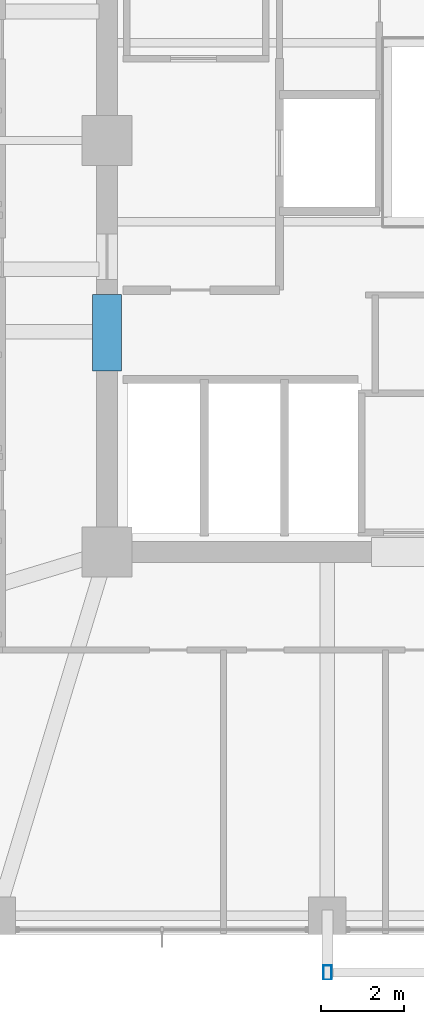
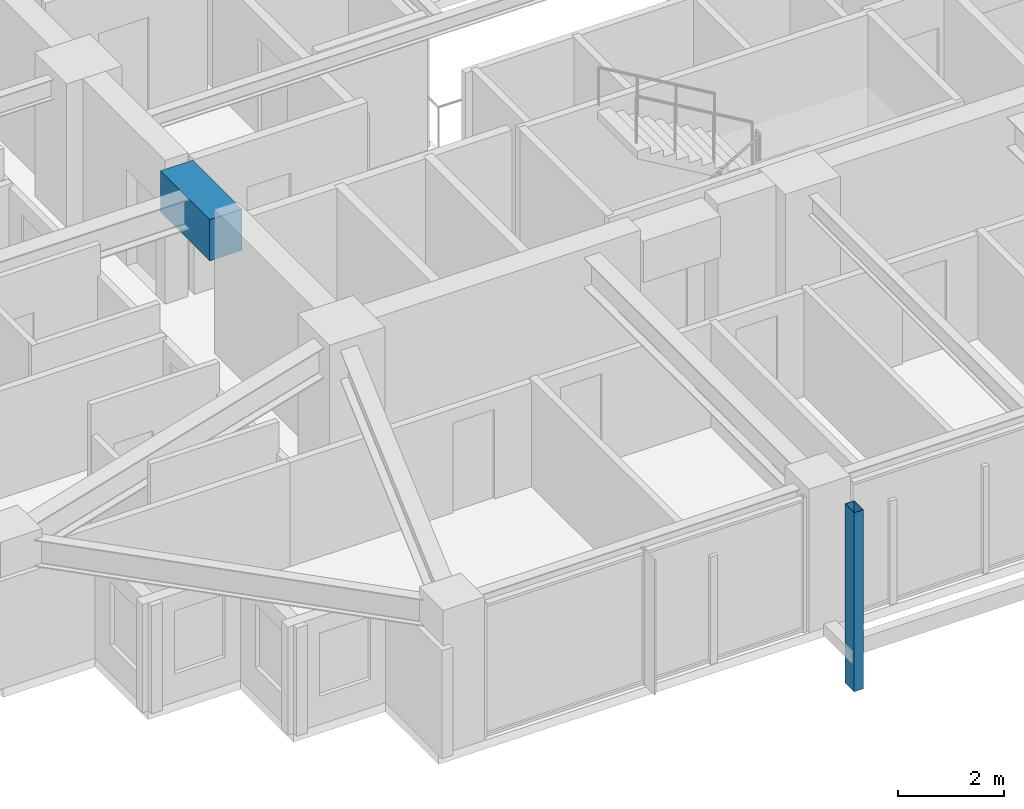
# One storey, part 5 of 37: 1 beam, 1 member.
"""IFC4 building model written with IfcOpenShell, lengths in metres."""

from ifc_helpers import new_model, si_unit, direction, frame, origin, origin_2d, place, context, subcontext, project, spatial, rectangle, hollow_rectangle, extrude, material, material_profile, profile_set, type_object, element, save


model = new_model("IFC4")

# Units and contexts
model_context = context("Model", 3, precision=1e-05, world=origin(), true_north=direction((0.0, 1.0)))
body_context = subcontext(model_context, "Body", "Model", "MODEL_VIEW")
ifc_project = project(units=[si_unit("LENGTHUNIT", "METRE"), si_unit("AREAUNIT", "SQUARE_METRE"), si_unit("VOLUMEUNIT", "CUBIC_METRE"), si_unit("PLANEANGLEUNIT", "RADIAN"), si_unit("MASSUNIT", "GRAM", prefix="KILO")], contexts=[model_context])

# Site, building, storey
site_placement = place(None, origin())
site = spatial("IfcSite", under=ifc_project, at=site_placement, CompositionType="ELEMENT")
building_placement = place(site_placement, origin())
building = spatial("IfcBuilding", under=site, at=building_placement, Name="Kolvaren Belvedere", CompositionType="ELEMENT")
storey_placement = place(building_placement, frame((0.0, 0.0, 156.89990234375)))
storey = spatial("IfcBuildingStorey", under=building, at=storey_placement, Name="L45", CompositionType="ELEMENT", Elevation=156.89990234375)

# Beam
ifc_material_1 = material(Name="Concrete C60/75", Category="concrete")
ifc_material_profile_1 = material_profile(ifc_material_1, rectangle(XDim=0.699951171875, YDim=0.949951171875, at=origin_2d()), Name="RC 700X950")
ifc_profile_set_1 = profile_set([ifc_material_profile_1], Name="Concrete C60/75")
beam_type = type_object("IfcBeamType", Name="BM-LINT-950", PredefinedType="LINTEL", material=ifc_profile_set_1)
beam_placement = place(storey_placement, frame((-9.89990234375, -5.550048828125, 2.625), z_axis=(0.0, 1.0, 0.0), x_axis=(-1.0, 0.0, 0.0)))
element("IfcBeam", 1, at=beam_placement, inside=storey, type_object=beam_type, Name="L45 West Core Coupling Lintel", PredefinedType="LINTEL", context=body_context, shape_type="SweptSolid", body=[
    extrude(rectangle(XDim=0.699951171875, YDim=0.949951171875, at=origin_2d()), origin(), (0.0, 0.0, 1.0), 1.85009765625),
])

# Member
ifc_material_2 = material(Name="Anodised pale-metal aluminium AA 6063-T6", Category="aluminium")
ifc_material_profile_2 = material_profile(ifc_material_2, hollow_rectangle(XDim=0.199951171875, YDim=0.35009765625, WallThickness=0.007568359375, at=origin_2d()), Name="ALU-PF-350X200")
ifc_profile_set_2 = profile_set([ifc_material_profile_2], Name="Anodised pale-metal aluminium AA 6063-T6")
member_type = type_object("IfcMemberType", Name="PF-FRAME-350", PredefinedType="USERDEFINED", material=ifc_profile_set_2)
member_placement = place(storey_placement, frame((-4.60009765625, -20.02001953125, -0.809814453125), z_axis=(0.0, 0.0, 1.0), x_axis=(1.0, 0.0, 0.0)))
element("IfcMember", 2, at=member_placement, inside=storey, type_object=member_type, Name="L45 Outboard Picture-Frame Vertical S2", ObjectType="PICTURE FRAME FIN", PredefinedType="USERDEFINED", context=body_context, shape_type="SweptSolid", body=[
    extrude(hollow_rectangle(XDim=0.199951171875, YDim=0.35009765625, WallThickness=0.007568359375, at=origin_2d()), origin(), (0.0, 0.0, 1.0), 4.10986328125),
])

save(model, "model.ifc")
